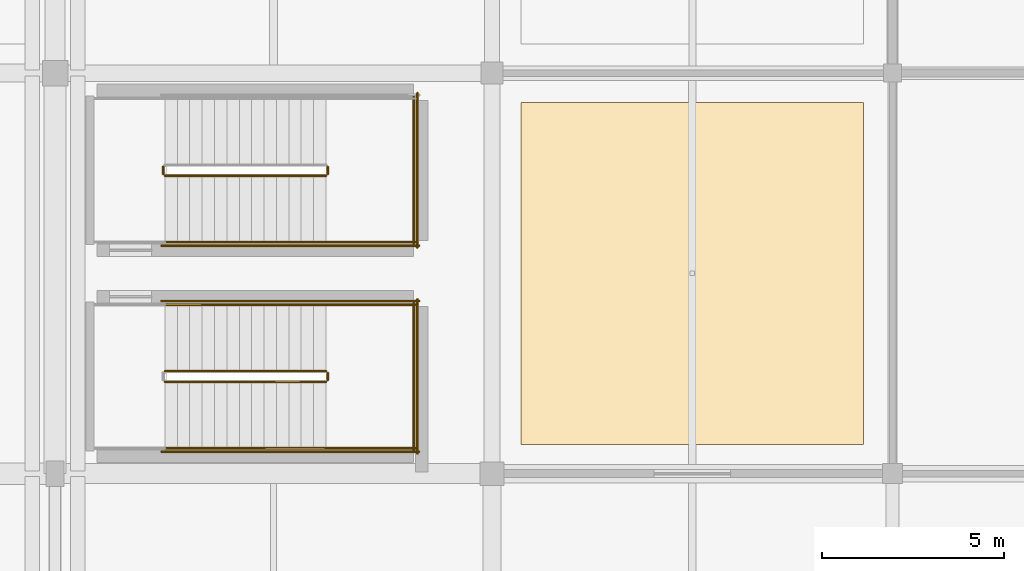
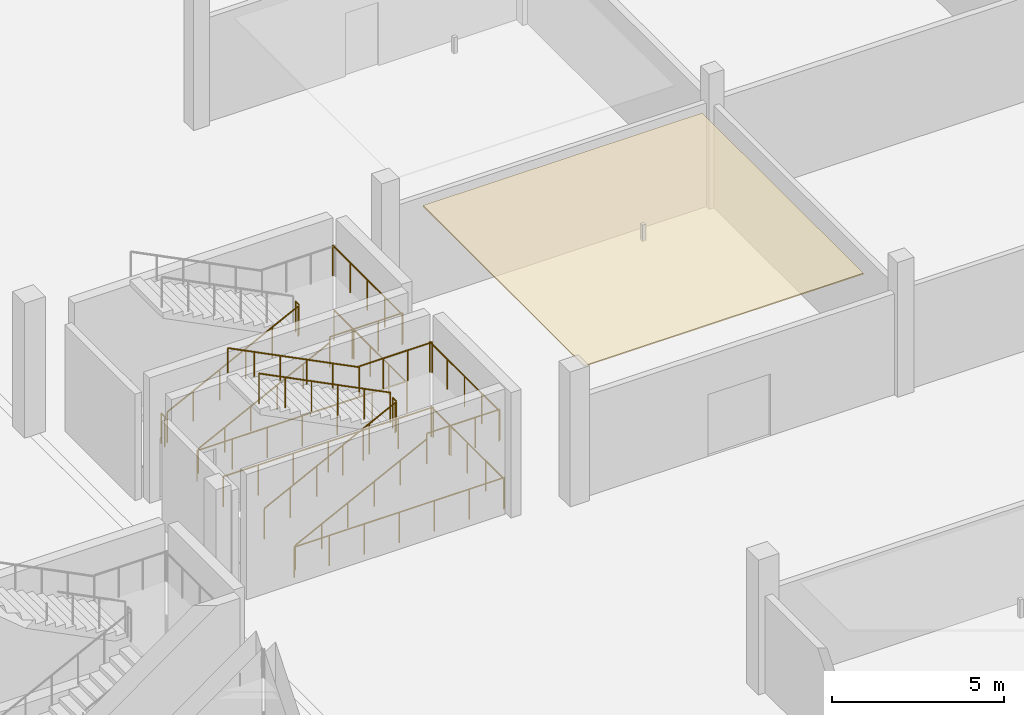
# One storey, part 138 of 143: 19 railings, 1 covering.
"""IFC4 building model written with IfcOpenShell, lengths in metres."""

from ifc_helpers import new_model, si_unit, direction, frame, origin, origin_2d, place, context, subcontext, project, spatial, polyline, circle, outline, extrude, material, layer, layer_set, type_object, element, save


model = new_model("IFC4")

# Units and contexts
model_context = context("Model", 3, precision=1e-05, world=origin(), true_north=direction((0.0, 1.0)))
body_context = subcontext(model_context, "Body", "Model", "MODEL_VIEW")
ifc_project = project(units=[si_unit("LENGTHUNIT", "METRE"), si_unit("AREAUNIT", "SQUARE_METRE"), si_unit("VOLUMEUNIT", "CUBIC_METRE"), si_unit("PLANEANGLEUNIT", "RADIAN"), si_unit("MASSUNIT", "GRAM", prefix="KILO")], contexts=[model_context])

# Site, building, storey
site_placement = place(None, origin())
site = spatial("IfcSite", under=ifc_project, at=site_placement, CompositionType="ELEMENT")
building_placement = place(site_placement, origin())
building = spatial("IfcBuilding", under=site, at=building_placement, Name="Luwafu Chhajja Arena", CompositionType="ELEMENT")
storey_placement = place(building_placement, frame((0.0, 0.0, 5.39990234375)))
storey = spatial("IfcBuildingStorey", under=building, at=storey_placement, Name="L01", CompositionType="ELEMENT", Elevation=5.39990234375)

# Covering
ifc_material_1 = material(Name="Acoustic gypsum ceiling board")
ifc_layer = layer(ifc_material_1, 0.0400390625, Name="Acoustic gypsum ceiling board")
ifc_layer_set = layer_set([ifc_layer], Name="Acoustic gypsum ceiling board")
covering_type = type_object("IfcCoveringType", Name="Perforated Acoustic Baffle Ceiling", PredefinedType="CEILING", material=ifc_layer_set)
covering_placement = place(storey_placement, frame((0.0, 0.0, 3.916015625)))
element("IfcCovering", 1, at=covering_placement, inside=storey, type_object=covering_type, Name="L01 Acoustic Baffle Ceiling 039", PredefinedType="CEILING", context=body_context, shape_type="SweptSolid", body=[
    extrude(outline(polyline([(176.800048828125, 55.800048828125), (186.199951171875, 55.800048828125), (186.199951171875, 65.199951171875), (176.800048828125, 65.199951171875), (176.800048828125, 55.800048828125)])), origin(), (0.0, 0.0, 1.0), 0.0400390625),
])

# Railings
ifc_material_2 = material(Name="Stainless steel handrail", Category="steel")
railing_type_1 = type_object("IfcRailingType", Name="Stair Pitch Wall Handrail 920", PredefinedType="HANDRAIL", material=ifc_material_2)
railing_1_placement = place(storey_placement, frame((167.02001953125, 55.699951171875, 0.171630859375)))
element("IfcRailing", 2, at=railing_1_placement, inside=storey, type_object=railing_type_1, Name="L01 ST-19 stair handrail 1", PredefinedType="HANDRAIL", context=body_context, shape_type="SweptSolid", body=[
    extrude(circle(Radius=0.02392578125, at=origin_2d()), frame((0.0, 0.0, 0.8759765625), z_axis=(0.89292277971, 0.0, 0.450209850486), x_axis=(0.0, 1.0, 0.0)), (0.0, 0.0, 1.0), 4.949951171875),
    extrude(circle(Radius=0.02099609375, at=origin_2d()), origin(), (0.0, 0.0, 1.0), 0.851806640625),
    extrude(circle(Radius=0.02099609375, at=origin_2d()), frame((0.884033203125, 0.0, 0.44580078125)), (0.0, 0.0, 1.0), 0.851806640625),
    extrude(circle(Radius=0.02099609375, at=origin_2d()), frame((1.76806640625, 0.0, 0.891357421875)), (0.0, 0.0, 1.0), 0.851806640625),
    extrude(circle(Radius=0.02099609375, at=origin_2d()), frame((2.65185546875, 0.0, 1.337158203125)), (0.0, 0.0, 1.0), 0.851806640625),
    extrude(circle(Radius=0.02099609375, at=origin_2d()), frame((3.535888671875, 0.0, 1.78271484375)), (0.0, 0.0, 1.0), 0.851806640625),
    extrude(circle(Radius=0.02099609375, at=origin_2d()), frame((4.419921875, 0.0, 2.228515625)), (0.0, 0.0, 1.0), 0.851806640625),
])
railing_2_placement = place(storey_placement, frame((171.43994140625, 59.639892578125, 2.571533203125)))
element("IfcRailing", 3, at=railing_2_placement, inside=storey, type_object=railing_type_1, Name="L01 ST-19 stair handrail 2", PredefinedType="HANDRAIL", context=body_context, shape_type="SweptSolid", body=[
    extrude(circle(Radius=0.02392578125, at=origin_2d()), frame((0.0, 0.0, 0.8759765625), z_axis=(-0.89292277971, 0.0, 0.450209850486), x_axis=(0.0, -1.0, 0.0)), (0.0, 0.0, 1.0), 4.949951171875),
    extrude(circle(Radius=0.02099609375, at=origin_2d()), origin(), (0.0, 0.0, 1.0), 0.851806640625),
    extrude(circle(Radius=0.02099609375, at=origin_2d()), frame((-0.884033203125, 0.0, 0.44580078125)), (0.0, 0.0, 1.0), 0.851806640625),
    extrude(circle(Radius=0.02099609375, at=origin_2d()), frame((-1.76806640625, 0.0, 0.891357421875)), (0.0, 0.0, 1.0), 0.851806640625),
    extrude(circle(Radius=0.02099609375, at=origin_2d()), frame((-2.65185546875, 0.0, 1.337158203125)), (0.0, 0.0, 1.0), 0.851806640625),
    extrude(circle(Radius=0.02099609375, at=origin_2d()), frame((-3.535888671875, 0.0, 1.78271484375)), (0.0, 0.0, 1.0), 0.851806640625),
    extrude(circle(Radius=0.02099609375, at=origin_2d()), frame((-4.419921875, 0.0, 2.228515625)), (0.0, 0.0, 1.0), 0.851806640625),
])
railing_3_placement = place(storey_placement, frame((167.02001953125, 61.360107421875, 0.171630859375)))
element("IfcRailing", 4, at=railing_3_placement, inside=storey, type_object=railing_type_1, Name="L01 ST-20 stair handrail 1", PredefinedType="HANDRAIL", context=body_context, shape_type="SweptSolid", body=[
    extrude(circle(Radius=0.02392578125, at=origin_2d()), frame((0.0, 0.0, 0.8759765625), z_axis=(0.89292277971, 0.0, 0.450209850486), x_axis=(0.0, 1.0, 0.0)), (0.0, 0.0, 1.0), 4.949951171875),
    extrude(circle(Radius=0.02099609375, at=origin_2d()), origin(), (0.0, 0.0, 1.0), 0.851806640625),
    extrude(circle(Radius=0.02099609375, at=origin_2d()), frame((0.884033203125, 0.0, 0.44580078125)), (0.0, 0.0, 1.0), 0.851806640625),
    extrude(circle(Radius=0.02099609375, at=origin_2d()), frame((1.76806640625, 0.0, 0.891357421875)), (0.0, 0.0, 1.0), 0.851806640625),
    extrude(circle(Radius=0.02099609375, at=origin_2d()), frame((2.65185546875, 0.0, 1.337158203125)), (0.0, 0.0, 1.0), 0.851806640625),
    extrude(circle(Radius=0.02099609375, at=origin_2d()), frame((3.535888671875, 0.0, 1.78271484375)), (0.0, 0.0, 1.0), 0.851806640625),
    extrude(circle(Radius=0.02099609375, at=origin_2d()), frame((4.419921875, 0.0, 2.228515625)), (0.0, 0.0, 1.0), 0.851806640625),
])
ifc_material_3 = material(Name="Stainless steel balustrade", Category="steel")
railing_type_2 = type_object("IfcRailingType", Name="Stair and Terrace Guard Balustrade 1100", PredefinedType="BALUSTRADE", material=ifc_material_3)
railing_4_placement = place(storey_placement, frame((167.02001953125, 57.52001953125, 0.171630859375)))
element("IfcRailing", 5, at=railing_4_placement, inside=storey, type_object=railing_type_2, Name="L01 ST-19 stair guard 1", PredefinedType="BALUSTRADE", context=body_context, shape_type="SweptSolid", body=[
    extrude(circle(Radius=0.02392578125, at=origin_2d()), frame((0.0, 0.0, 1.076171875), z_axis=(0.89292277971, 0.0, 0.450209850486), x_axis=(0.0, 1.0, 0.0)), (0.0, 0.0, 1.0), 4.949951171875),
    extrude(circle(Radius=0.02099609375, at=origin_2d()), origin(), (0.0, 0.0, 1.0), 1.052001953125),
    extrude(circle(Radius=0.02099609375, at=origin_2d()), frame((0.884033203125, 0.0, 0.44580078125)), (0.0, 0.0, 1.0), 1.052001953125),
    extrude(circle(Radius=0.02099609375, at=origin_2d()), frame((1.76806640625, 0.0, 0.891357421875)), (0.0, 0.0, 1.0), 1.052001953125),
    extrude(circle(Radius=0.02099609375, at=origin_2d()), frame((2.65185546875, 0.0, 1.337158203125)), (0.0, 0.0, 1.0), 1.052001953125),
    extrude(circle(Radius=0.02099609375, at=origin_2d()), frame((3.535888671875, 0.0, 1.78271484375)), (0.0, 0.0, 1.0), 1.052001953125),
    extrude(circle(Radius=0.02099609375, at=origin_2d()), frame((4.419921875, 0.0, 2.228515625)), (0.0, 0.0, 1.0), 1.052001953125),
])
railing_5_placement = place(storey_placement, frame((171.489990234375, 57.570068359375, 2.400146484375)))
element("IfcRailing", 6, at=railing_5_placement, inside=storey, type_object=railing_type_2, Name="L01 ST-19 stair guard 2", PredefinedType="BALUSTRADE", context=body_context, shape_type="SweptSolid", body=[
    extrude(circle(Radius=0.02392578125, at=origin_2d()), frame((0.0, 0.0, 1.076171875), z_axis=(0.0, 1.0, 0.0), x_axis=(-1.0, 0.0, 0.0)), (0.0, 0.0, 1.0), 0.199951171875),
    extrude(circle(Radius=0.02099609375, at=origin_2d()), origin(), (0.0, 0.0, 1.0), 1.052001953125),
    extrude(circle(Radius=0.02099609375, at=origin_2d()), frame((0.0, 0.199951171875, 0.0)), (0.0, 0.0, 1.0), 1.052001953125),
])
for number, where, name in (
    (7, (171.43994140625, 55.699951171875, 2.400146484375), "L01 ST-19 stair guard 3"),
    (8, (171.43994140625, 59.639892578125, 2.400146484375), "L01 ST-19 stair guard 4"),
):
    element("IfcRailing", number, at=place(storey_placement, frame(where)), inside=storey, type_object=railing_type_2, Name=name, PredefinedType="BALUSTRADE", context=body_context, shape_type="SweptSolid", body=[
        extrude(circle(Radius=0.02392578125, at=origin_2d()), frame((0.0, 0.0, 1.076171875), z_axis=(1.0, 0.0, 0.0), x_axis=(0.0, 1.0, 0.0)), (0.0, 0.0, 1.0), 2.4599609375),
        extrude(circle(Radius=0.02099609375, at=origin_2d()), origin(), (0.0, 0.0, 1.0), 1.052001953125),
        extrude(circle(Radius=0.02099609375, at=origin_2d()), frame((0.820068359375, 0.0, 0.0)), (0.0, 0.0, 1.0), 1.052001953125),
        extrude(circle(Radius=0.02099609375, at=origin_2d()), frame((1.639892578125, 0.0, 0.0)), (0.0, 0.0, 1.0), 1.052001953125),
        extrude(circle(Radius=0.02099609375, at=origin_2d()), frame((2.4599609375, 0.0, 0.0)), (0.0, 0.0, 1.0), 1.052001953125),
    ])
railing_6_placement = place(storey_placement, frame((173.85009765625, 55.64990234375, 2.400146484375)))
element("IfcRailing", 9, at=railing_6_placement, inside=storey, type_object=railing_type_2, Name="L01 ST-19 stair guard 5", PredefinedType="BALUSTRADE", context=body_context, shape_type="SweptSolid", body=[
    extrude(circle(Radius=0.02392578125, at=origin_2d()), frame((0.0, 0.0, 1.076171875), z_axis=(0.0, 1.0, 0.0), x_axis=(-1.0, 0.0, 0.0)), (0.0, 0.0, 1.0), 4.0400390625),
    extrude(circle(Radius=0.02099609375, at=origin_2d()), origin(), (0.0, 0.0, 1.0), 1.052001953125),
    extrude(circle(Radius=0.02099609375, at=origin_2d()), frame((0.0, 1.010009765625, 0.0)), (0.0, 0.0, 1.0), 1.052001953125),
    extrude(circle(Radius=0.02099609375, at=origin_2d()), frame((0.0, 2.02001953125, 0.0)), (0.0, 0.0, 1.0), 1.052001953125),
    extrude(circle(Radius=0.02099609375, at=origin_2d()), frame((0.0, 3.030029296875, 0.0)), (0.0, 0.0, 1.0), 1.052001953125),
    extrude(circle(Radius=0.02099609375, at=origin_2d()), frame((0.0, 4.0400390625, 0.0)), (0.0, 0.0, 1.0), 1.052001953125),
])
railing_7_placement = place(storey_placement, frame((171.43994140625, 57.820068359375, 2.571533203125)))
element("IfcRailing", 10, at=railing_7_placement, inside=storey, type_object=railing_type_2, Name="L01 ST-19 stair guard 6", PredefinedType="BALUSTRADE", context=body_context, shape_type="SweptSolid", body=[
    extrude(circle(Radius=0.02392578125, at=origin_2d()), frame((0.0, 0.0, 1.076171875), z_axis=(-0.89292277971, 0.0, 0.450209850486), x_axis=(0.0, -1.0, 0.0)), (0.0, 0.0, 1.0), 4.949951171875),
    extrude(circle(Radius=0.02099609375, at=origin_2d()), origin(), (0.0, 0.0, 1.0), 1.052001953125),
    extrude(circle(Radius=0.02099609375, at=origin_2d()), frame((-0.884033203125, 0.0, 0.44580078125)), (0.0, 0.0, 1.0), 1.052001953125),
    extrude(circle(Radius=0.02099609375, at=origin_2d()), frame((-1.76806640625, 0.0, 0.891357421875)), (0.0, 0.0, 1.0), 1.052001953125),
    extrude(circle(Radius=0.02099609375, at=origin_2d()), frame((-2.65185546875, 0.0, 1.337158203125)), (0.0, 0.0, 1.0), 1.052001953125),
    extrude(circle(Radius=0.02099609375, at=origin_2d()), frame((-3.535888671875, 0.0, 1.78271484375)), (0.0, 0.0, 1.0), 1.052001953125),
    extrude(circle(Radius=0.02099609375, at=origin_2d()), frame((-4.419921875, 0.0, 2.228515625)), (0.0, 0.0, 1.0), 1.052001953125),
])
for number, where, name in (
    (11, (166.919921875, 55.60009765625, 0.0), "L01 ST-19 stair guard 10"),
    (12, (166.919921875, 59.739990234375, 0.0), "L01 ST-19 stair guard 11"),
):
    element("IfcRailing", number, at=place(storey_placement, frame(where)), inside=storey, type_object=railing_type_2, Name=name, PredefinedType="BALUSTRADE", context=body_context, shape_type="SweptSolid", body=[
        extrude(circle(Radius=0.02392578125, at=origin_2d()), frame((0.0, 0.0, 1.076171875), z_axis=(1.0, 0.0, 0.0), x_axis=(0.0, 1.0, 0.0)), (0.0, 0.0, 1.0), 7.080078125),
        extrude(circle(Radius=0.02099609375, at=origin_2d()), origin(), (0.0, 0.0, 1.0), 1.052001953125),
        extrude(circle(Radius=0.02099609375, at=origin_2d()), frame((1.179931640625, 0.0, 0.0)), (0.0, 0.0, 1.0), 1.052001953125),
        extrude(circle(Radius=0.02099609375, at=origin_2d()), frame((2.360107421875, 0.0, 0.0)), (0.0, 0.0, 1.0), 1.052001953125),
        extrude(circle(Radius=0.02099609375, at=origin_2d()), frame((3.5400390625, 0.0, 0.0)), (0.0, 0.0, 1.0), 1.052001953125),
        extrude(circle(Radius=0.02099609375, at=origin_2d()), frame((4.719970703125, 0.0, 0.0)), (0.0, 0.0, 1.0), 1.052001953125),
        extrude(circle(Radius=0.02099609375, at=origin_2d()), frame((5.900146484375, 0.0, 0.0)), (0.0, 0.0, 1.0), 1.052001953125),
        extrude(circle(Radius=0.02099609375, at=origin_2d()), frame((7.080078125, 0.0, 0.0)), (0.0, 0.0, 1.0), 1.052001953125),
    ])
railing_8_placement = place(storey_placement, frame((173.949951171875, 55.550048828125, 0.0)))
element("IfcRailing", 13, at=railing_8_placement, inside=storey, type_object=railing_type_2, Name="L01 ST-19 stair guard 12", PredefinedType="BALUSTRADE", context=body_context, shape_type="SweptSolid", body=[
    extrude(circle(Radius=0.02392578125, at=origin_2d()), frame((0.0, 0.0, 1.076171875), z_axis=(0.0, 1.0, 0.0), x_axis=(-1.0, 0.0, 0.0)), (0.0, 0.0, 1.0), 4.239990234375),
    extrude(circle(Radius=0.02099609375, at=origin_2d()), origin(), (0.0, 0.0, 1.0), 1.052001953125),
    extrude(circle(Radius=0.02099609375, at=origin_2d()), frame((0.0, 1.06005859375, 0.0)), (0.0, 0.0, 1.0), 1.052001953125),
    extrude(circle(Radius=0.02099609375, at=origin_2d()), frame((0.0, 2.1201171875, 0.0)), (0.0, 0.0, 1.0), 1.052001953125),
    extrude(circle(Radius=0.02099609375, at=origin_2d()), frame((0.0, 3.179931640625, 0.0)), (0.0, 0.0, 1.0), 1.052001953125),
    extrude(circle(Radius=0.02099609375, at=origin_2d()), frame((0.0, 4.239990234375, 0.0)), (0.0, 0.0, 1.0), 1.052001953125),
])
railing_9_placement = place(storey_placement, frame((167.02001953125, 63.179931640625, 0.171630859375)))
element("IfcRailing", 14, at=railing_9_placement, inside=storey, type_object=railing_type_2, Name="L01 ST-20 stair guard 1", PredefinedType="BALUSTRADE", context=body_context, shape_type="SweptSolid", body=[
    extrude(circle(Radius=0.02392578125, at=origin_2d()), frame((0.0, 0.0, 1.076171875), z_axis=(0.89292277971, 0.0, 0.450209850486), x_axis=(0.0, 1.0, 0.0)), (0.0, 0.0, 1.0), 4.949951171875),
    extrude(circle(Radius=0.02099609375, at=origin_2d()), origin(), (0.0, 0.0, 1.0), 1.052001953125),
    extrude(circle(Radius=0.02099609375, at=origin_2d()), frame((0.884033203125, 0.0, 0.44580078125)), (0.0, 0.0, 1.0), 1.052001953125),
    extrude(circle(Radius=0.02099609375, at=origin_2d()), frame((1.76806640625, 0.0, 0.891357421875)), (0.0, 0.0, 1.0), 1.052001953125),
    extrude(circle(Radius=0.02099609375, at=origin_2d()), frame((2.65185546875, 0.0, 1.337158203125)), (0.0, 0.0, 1.0), 1.052001953125),
    extrude(circle(Radius=0.02099609375, at=origin_2d()), frame((3.535888671875, 0.0, 1.78271484375)), (0.0, 0.0, 1.0), 1.052001953125),
    extrude(circle(Radius=0.02099609375, at=origin_2d()), frame((4.419921875, 0.0, 2.228515625)), (0.0, 0.0, 1.0), 1.052001953125),
])
railing_10_placement = place(storey_placement, frame((171.489990234375, 63.22998046875, 2.400146484375)))
element("IfcRailing", 15, at=railing_10_placement, inside=storey, type_object=railing_type_2, Name="L01 ST-20 stair guard 2", PredefinedType="BALUSTRADE", context=body_context, shape_type="SweptSolid", body=[
    extrude(circle(Radius=0.02392578125, at=origin_2d()), frame((0.0, 0.0, 1.076171875), z_axis=(0.0, 1.0, 0.0), x_axis=(-1.0, 0.0, 0.0)), (0.0, 0.0, 1.0), 0.199951171875),
    extrude(circle(Radius=0.02099609375, at=origin_2d()), origin(), (0.0, 0.0, 1.0), 1.052001953125),
    extrude(circle(Radius=0.02099609375, at=origin_2d()), frame((0.0, 0.199951171875, 0.0)), (0.0, 0.0, 1.0), 1.052001953125),
])
railing_11_placement = place(storey_placement, frame((171.43994140625, 61.360107421875, 2.400146484375)))
element("IfcRailing", 16, at=railing_11_placement, inside=storey, type_object=railing_type_2, Name="L01 ST-20 stair guard 3", PredefinedType="BALUSTRADE", context=body_context, shape_type="SweptSolid", body=[
    extrude(circle(Radius=0.02392578125, at=origin_2d()), frame((0.0, 0.0, 1.076171875), z_axis=(1.0, 0.0, 0.0), x_axis=(0.0, 1.0, 0.0)), (0.0, 0.0, 1.0), 2.4599609375),
    extrude(circle(Radius=0.02099609375, at=origin_2d()), origin(), (0.0, 0.0, 1.0), 1.052001953125),
    extrude(circle(Radius=0.02099609375, at=origin_2d()), frame((0.820068359375, 0.0, 0.0)), (0.0, 0.0, 1.0), 1.052001953125),
    extrude(circle(Radius=0.02099609375, at=origin_2d()), frame((1.639892578125, 0.0, 0.0)), (0.0, 0.0, 1.0), 1.052001953125),
    extrude(circle(Radius=0.02099609375, at=origin_2d()), frame((2.4599609375, 0.0, 0.0)), (0.0, 0.0, 1.0), 1.052001953125),
])
railing_12_placement = place(storey_placement, frame((173.85009765625, 61.31005859375, 2.400146484375)))
element("IfcRailing", 17, at=railing_12_placement, inside=storey, type_object=railing_type_2, Name="L01 ST-20 stair guard 5", PredefinedType="BALUSTRADE", context=body_context, shape_type="SweptSolid", body=[
    extrude(circle(Radius=0.02392578125, at=origin_2d()), frame((0.0, 0.0, 1.076171875), z_axis=(0.0, 1.0, 0.0), x_axis=(-1.0, 0.0, 0.0)), (0.0, 0.0, 1.0), 4.0400390625),
    extrude(circle(Radius=0.02099609375, at=origin_2d()), origin(), (0.0, 0.0, 1.0), 1.052001953125),
    extrude(circle(Radius=0.02099609375, at=origin_2d()), frame((0.0, 1.010009765625, 0.0)), (0.0, 0.0, 1.0), 1.052001953125),
    extrude(circle(Radius=0.02099609375, at=origin_2d()), frame((0.0, 2.02001953125, 0.0)), (0.0, 0.0, 1.0), 1.052001953125),
    extrude(circle(Radius=0.02099609375, at=origin_2d()), frame((0.0, 3.030029296875, 0.0)), (0.0, 0.0, 1.0), 1.052001953125),
    extrude(circle(Radius=0.02099609375, at=origin_2d()), frame((0.0, 4.0400390625, 0.0)), (0.0, 0.0, 1.0), 1.052001953125),
])
railing_13_placement = place(storey_placement, frame((166.969970703125, 63.22998046875, 0.0)))
element("IfcRailing", 18, at=railing_13_placement, inside=storey, type_object=railing_type_2, Name="L01 ST-20 stair guard 7", PredefinedType="BALUSTRADE", context=body_context, shape_type="SweptSolid", body=[
    extrude(circle(Radius=0.02392578125, at=origin_2d()), frame((0.0, 0.0, 1.076171875), z_axis=(0.0, 1.0, 0.0), x_axis=(-1.0, 0.0, 0.0)), (0.0, 0.0, 1.0), 0.199951171875),
    extrude(circle(Radius=0.02099609375, at=origin_2d()), origin(), (0.0, 0.0, 1.0), 1.052001953125),
    extrude(circle(Radius=0.02099609375, at=origin_2d()), frame((0.0, 0.199951171875, 0.0)), (0.0, 0.0, 1.0), 1.052001953125),
])
railing_14_placement = place(storey_placement, frame((166.919921875, 61.260009765625, 0.0)))
element("IfcRailing", 19, at=railing_14_placement, inside=storey, type_object=railing_type_2, Name="L01 ST-20 stair guard 10", PredefinedType="BALUSTRADE", context=body_context, shape_type="SweptSolid", body=[
    extrude(circle(Radius=0.02392578125, at=origin_2d()), frame((0.0, 0.0, 1.076171875), z_axis=(1.0, 0.0, 0.0), x_axis=(0.0, 1.0, 0.0)), (0.0, 0.0, 1.0), 7.080078125),
    extrude(circle(Radius=0.02099609375, at=origin_2d()), origin(), (0.0, 0.0, 1.0), 1.052001953125),
    extrude(circle(Radius=0.02099609375, at=origin_2d()), frame((1.179931640625, 0.0, 0.0)), (0.0, 0.0, 1.0), 1.052001953125),
    extrude(circle(Radius=0.02099609375, at=origin_2d()), frame((2.360107421875, 0.0, 0.0)), (0.0, 0.0, 1.0), 1.052001953125),
    extrude(circle(Radius=0.02099609375, at=origin_2d()), frame((3.5400390625, 0.0, 0.0)), (0.0, 0.0, 1.0), 1.052001953125),
    extrude(circle(Radius=0.02099609375, at=origin_2d()), frame((4.719970703125, 0.0, 0.0)), (0.0, 0.0, 1.0), 1.052001953125),
    extrude(circle(Radius=0.02099609375, at=origin_2d()), frame((5.900146484375, 0.0, 0.0)), (0.0, 0.0, 1.0), 1.052001953125),
    extrude(circle(Radius=0.02099609375, at=origin_2d()), frame((7.080078125, 0.0, 0.0)), (0.0, 0.0, 1.0), 1.052001953125),
])
railing_15_placement = place(storey_placement, frame((173.949951171875, 61.2099609375, 0.0)))
element("IfcRailing", 20, at=railing_15_placement, inside=storey, type_object=railing_type_2, Name="L01 ST-20 stair guard 12", PredefinedType="BALUSTRADE", context=body_context, shape_type="SweptSolid", body=[
    extrude(circle(Radius=0.02392578125, at=origin_2d()), frame((0.0, 0.0, 1.076171875), z_axis=(0.0, 1.0, 0.0), x_axis=(-1.0, 0.0, 0.0)), (0.0, 0.0, 1.0), 4.239990234375),
    extrude(circle(Radius=0.02099609375, at=origin_2d()), origin(), (0.0, 0.0, 1.0), 1.052001953125),
    extrude(circle(Radius=0.02099609375, at=origin_2d()), frame((0.0, 1.06005859375, 0.0)), (0.0, 0.0, 1.0), 1.052001953125),
    extrude(circle(Radius=0.02099609375, at=origin_2d()), frame((0.0, 2.1201171875, 0.0)), (0.0, 0.0, 1.0), 1.052001953125),
    extrude(circle(Radius=0.02099609375, at=origin_2d()), frame((0.0, 3.179931640625, 0.0)), (0.0, 0.0, 1.0), 1.052001953125),
    extrude(circle(Radius=0.02099609375, at=origin_2d()), frame((0.0, 4.239990234375, 0.0)), (0.0, 0.0, 1.0), 1.052001953125),
])

save(model, "model.ifc")
